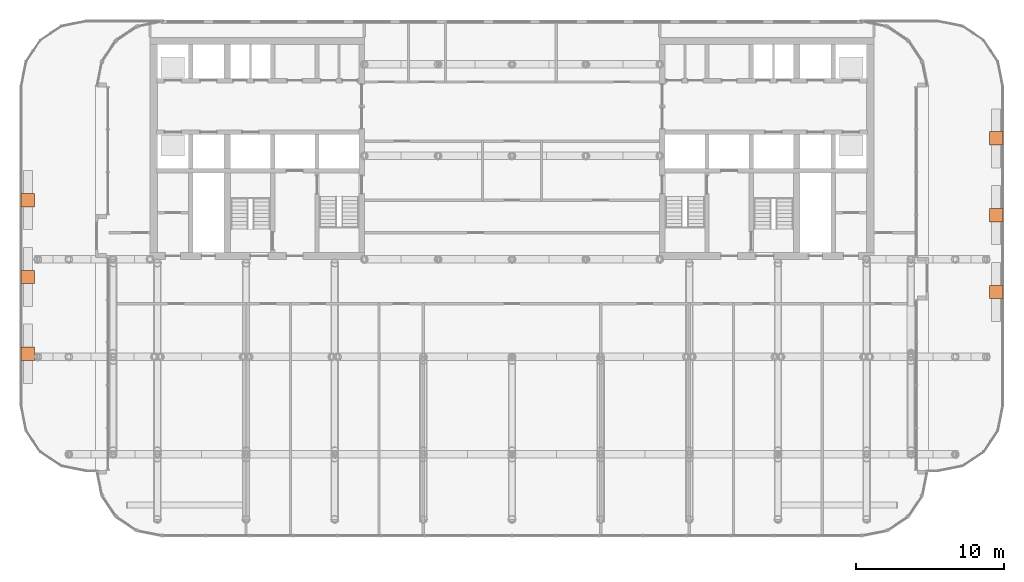
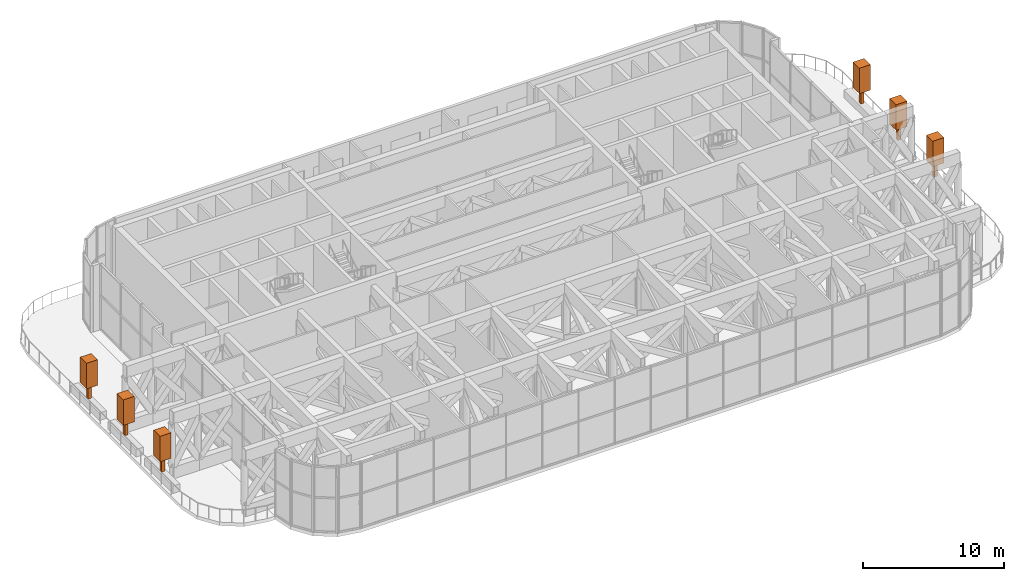
# One storey, part 25 of 25: 6 geographic elements.
"""IFC4 building model written with IfcOpenShell, lengths in metres."""

import ifcopenshell
import ifcopenshell.guid

model = None  # the IFC model being written
_history = None  # IfcOwnerHistory: only IFC2X3 demands one
_inside = {}  # id of a spatial element -> (the spatial element, [elements in it])
_under = {}  # id of a project, library or spatial element -> (it, [spatial elements below it])
_declared = {}  # id of a project -> (the project, [libraries it declares])
_typed = {}  # id of a type object -> (the type object, [elements of that type])
_made_of = {}  # id of a material, layer set ... -> (it, [elements and type objects made of it])


def new_model(schema):
    """Start an empty IFC model of exactly this schema.

    Asked for "IFC4X3", IfcOpenShell would pick the latest addendum, in which some entities
    have other attributes; the version numbers below select the first issue.
    IFC2X3 requires an IfcOwnerHistory on every rooted entity: one is made here for all.
    """
    global model, _history
    if schema == "IFC4X3":
        model = ifcopenshell.file(schema_version=(4, 3, 0, 0))
    else:
        model = ifcopenshell.file(schema=schema)
    _inside.clear()
    _under.clear()
    _declared.clear()
    _typed.clear()
    _made_of.clear()
    _history = None
    if model.schema == "IFC2X3":
        org = make("IfcOrganization", Name="unknown")
        user = make(
            "IfcPersonAndOrganization",
            ThePerson=make("IfcPerson", FamilyName="unknown"),
            TheOrganization=org,
        )
        app = make(
            "IfcApplication",
            ApplicationDeveloper=org,
            Version="unknown",
            ApplicationFullName="unknown",
            ApplicationIdentifier="unknown",
        )
        _history = make(
            "IfcOwnerHistory",
            OwningUser=user,
            OwningApplication=app,
            ChangeAction="ADDED",
            CreationDate=0,
        )
    return model


def make(cls, **values):
    """One entity of the class cls with the attributes given. An attribute that is None is left unset."""
    return model.create_entity(
        cls, **{name: value for name, value in values.items() if value is not None}
    )


def rooted(cls, **values):
    """An entity with a GlobalId (a new one), such as an element, a storey or a relation."""
    return make(cls, GlobalId=ifcopenshell.guid.new(), OwnerHistory=_history, **values)


def si_unit(unit_type, name, prefix=None):
    """IfcSIUnit, for example si_unit("LENGTHUNIT", "METRE", prefix="MILLI")."""
    return make("IfcSIUnit", UnitType=unit_type, Prefix=prefix, Name=name)


def assignment(units):
    """IfcUnitAssignment: the units of a project."""
    return None if units is None else make("IfcUnitAssignment", Units=units)


def point(xyz):
    """IfcCartesianPoint."""
    return None if xyz is None else make("IfcCartesianPoint", Coordinates=xyz)


def direction(xyz):
    """IfcDirection."""
    return None if xyz is None else make("IfcDirection", DirectionRatios=xyz)


def frame(location, z_axis=None, x_axis=None):
    """IfcAxis2Placement3D, a coordinate frame: its origin and axes. An axis left out is left unset."""
    return make(
        "IfcAxis2Placement3D",
        Location=point(location),
        Axis=direction(z_axis),
        RefDirection=direction(x_axis),
    )


def frame_2d(location, x_axis=None):
    """IfcAxis2Placement2D, a coordinate frame in the plane: its origin and x axis."""
    return make(
        "IfcAxis2Placement2D", Location=point(location), RefDirection=direction(x_axis)
    )


def origin():
    """The frame at (0, 0, 0) with its axes left unset."""
    return frame((0.0, 0.0, 0.0))


def origin_2d():
    """The frame at (0, 0) in the plane with its x axis left unset."""
    return frame_2d((0.0, 0.0))


def place(relative_to, where):
    """IfcLocalPlacement: puts the frame where relative to a parent placement (None: the world)."""
    return make(
        "IfcLocalPlacement", PlacementRelTo=relative_to, RelativePlacement=where
    )


def context(
    kind, dimensions, precision=None, world=None, true_north=None, identifier=None
):
    """IfcGeometricRepresentationContext, for example the 3D "Model" context."""
    return make(
        "IfcGeometricRepresentationContext",
        ContextIdentifier=identifier,
        ContextType=kind,
        CoordinateSpaceDimension=dimensions,
        Precision=precision,
        WorldCoordinateSystem=world,
        TrueNorth=true_north,
    )


def subcontext(parent, identifier, kind, view, scale=None):
    """IfcGeometricRepresentationSubContext, for example "Body" below "Model"."""
    return make(
        "IfcGeometricRepresentationSubContext",
        ContextIdentifier=identifier,
        ContextType=kind,
        ParentContext=parent,
        TargetScale=scale,
        TargetView=view,
    )


def project(units=None, contexts=None):
    """IfcProject with its units and contexts."""
    return rooted(
        "IfcProject",
        Name="project",
        RepresentationContexts=contexts,
        UnitsInContext=assignment(units),
    )


def spatial(cls, under=None, at=None, **own):
    """A site, building, storey or space (cls), placed at a placement, below another one or the project."""
    s = rooted(cls, ObjectPlacement=at, **own)
    if under is not None:
        _under.setdefault(under.id(), (under, []))[1].append(s)
    return s


def profile(cls, at=None, kind="AREA", **sizes):
    """A parametric profile (cls). Its sizes go by their IFC names, for example OverallWidth=200.0."""
    return make(cls, ProfileType=kind, Position=at, **sizes)


def rectangle(**sizes):
    """IfcRectangleProfileDef."""
    return profile("IfcRectangleProfileDef", **sizes)


def extrude(swept, where, along, depth):
    """IfcExtrudedAreaSolid: the profile swept, set in the frame where, extruded along a direction by depth."""
    return make(
        "IfcExtrudedAreaSolid",
        SweptArea=swept,
        Position=where,
        ExtrudedDirection=direction(along),
        Depth=depth,
    )


def shape(context_of_items, identifier, shape_type, items):
    """IfcShapeRepresentation: the items that make up one representation, for example the "Body"."""
    return make(
        "IfcShapeRepresentation",
        ContextOfItems=context_of_items,
        RepresentationIdentifier=identifier,
        RepresentationType=shape_type,
        Items=items,
    )


def material(Name=None, Category=None):
    """IfcMaterial."""
    return make("IfcMaterial", Name=Name, Category=Category)


def made_of(thing, what):
    """Note that an element or type object is made of a material, layer set ...; save() writes the relation."""
    if what is not None:
        _made_of.setdefault(what.id(), (what, []))[1].append(thing)
    return thing


def element(
    cls,
    number,
    at=None,
    inside=None,
    cuts=None,
    type_object=None,
    material=None,
    context=None,
    identifier="Body",
    shape_type=None,
    held_by="IfcProductDefinitionShape",
    body=None,
    shapes=None,
    **own,
):
    """One element of the class cls, such as IfcWall. Its Tag is "e" and its number.

    at: its placement. inside: the storey or other place that contains it. cuts: it is an
    opening in that element (IfcRelVoidsElement). A single representation is given by context,
    identifier, shape_type and body (its items); several are given by shapes. held_by: the class
    of the entity that holds the representations. save() writes the other relations.
    """
    e = rooted(cls, Tag="e%d" % number, ObjectPlacement=at, **own)
    if body is not None:
        shapes = [shape(context, identifier, shape_type, body)]
    if shapes is not None:
        e.Representation = make(held_by, Representations=shapes)
    if inside is not None:
        _inside.setdefault(inside.id(), (inside, []))[1].append(e)
    if cuts is not None:
        rooted(
            "IfcRelVoidsElement", RelatingBuildingElement=cuts, RelatedOpeningElement=e
        )
    if type_object is not None:
        _typed.setdefault(type_object.id(), (type_object, []))[1].append(e)
    return made_of(e, material)


def aggregate(whole, parts):
    """IfcRelAggregates: a whole, such as a stair, and the parts it consists of."""
    return rooted("IfcRelAggregates", RelatingObject=whole, RelatedObjects=parts)


def save(model, path):
    """Write the relations noted so far, then the file.

    IfcRelAggregates (storeys below a building ...), IfcRelContainedInSpatialStructure (elements
    in a storey), IfcRelDefinesByType, IfcRelAssociatesMaterial and IfcRelDeclares: one each for
    every whole, place, type object, material and project.
    """
    for whole, parts in _under.values():
        aggregate(whole, parts)
    for where, things in _inside.values():
        rooted(
            "IfcRelContainedInSpatialStructure",
            RelatedElements=things,
            RelatingStructure=where,
        )
    for kind, things in _typed.values():
        rooted("IfcRelDefinesByType", RelatedObjects=things, RelatingType=kind)
    for what, things in _made_of.values():
        rooted("IfcRelAssociatesMaterial", RelatedObjects=things, RelatingMaterial=what)
    for by, libraries in _declared.values():
        rooted("IfcRelDeclares", RelatingContext=by, RelatedDefinitions=libraries)
    model.write(path)


model = new_model("IFC4")

# Units and contexts
model_context = context("Model", 3, precision=1e-05, world=origin(), true_north=direction((0.0, 1.0)))
body_context = subcontext(model_context, "Body", "Model", "MODEL_VIEW")
ifc_project = project(units=[si_unit("LENGTHUNIT", "METRE"), si_unit("AREAUNIT", "SQUARE_METRE"), si_unit("VOLUMEUNIT", "CUBIC_METRE"), si_unit("PLANEANGLEUNIT", "RADIAN"), si_unit("MASSUNIT", "GRAM", prefix="KILO")], contexts=[model_context])

# Site, building, storey
site_placement = place(None, origin())
site = spatial("IfcSite", under=ifc_project, at=site_placement, CompositionType="ELEMENT")
building_placement = place(site_placement, origin())
building = spatial("IfcBuilding", under=site, at=building_placement, Name="Torana Hotel and Residences", CompositionType="ELEMENT")
storey_placement = place(building_placement, frame((0.0, 0.0, 106.800048828125)))
storey = spatial("IfcBuildingStorey", under=building, at=storey_placement, Name="L27", CompositionType="ELEMENT", Elevation=106.800048828125)

# Geographic elements
ifc_material = material(Name="Foliage", Category="planting")
for number, where, z_axis, x_axis, name in (
    (1, (32.77001953125, -6.807861328125, 0.64990234375), (0.0, 0.0, 1.0), (1.0, 0.0, 0.0), "Tree L27 1.1"),
    (2, (32.77001953125, -12.0078125, 0.64990234375), (0.0, 0.0, 1.0), (1.0, 0.0, 0.0), "Tree L27 1.2"),
    (3, (32.77001953125, -17.2080078125, 0.64990234375), (0.0, 0.0, 1.0), (1.0, 0.0, 0.0), "Tree L27 1.3"),
    (4, (-32.77001953125, -21.39208984375, 0.64990234375), (0.0, 0.0, 1.0), (1.0, 0.0, 0.0), "Tree L27 2.1"),
    (5, (-32.77001953125, -16.192138671875, 0.64990234375), (0.0, 0.0, 1.0), (1.0, 0.0, 0.0), "Tree L27 2.2"),
    (6, (-32.77001953125, -10.9921875, 0.64990234375), (0.0, 0.0, 1.0), (1.0, 0.0, 0.0), "Tree L27 2.3"),
):
    element("IfcGeographicElement", number, at=place(storey_placement, frame(where, z_axis=z_axis, x_axis=x_axis)), inside=storey, material=ifc_material, Name=name, ObjectType="TREE", PredefinedType="USERDEFINED", context=body_context, shape_type="SweptSolid", body=[
        extrude(rectangle(XDim=0.25, YDim=0.25, at=origin_2d()), origin(), (0.0, 0.0, 1.0), 1.199951171875),
        extrude(rectangle(XDim=0.89990234375, YDim=0.89990234375, at=origin_2d()), frame((0.0, 0.0, 1.199951171875)), (0.0, 0.0, 1.0), 2.199951171875),
    ])

save(model, "model.ifc")
